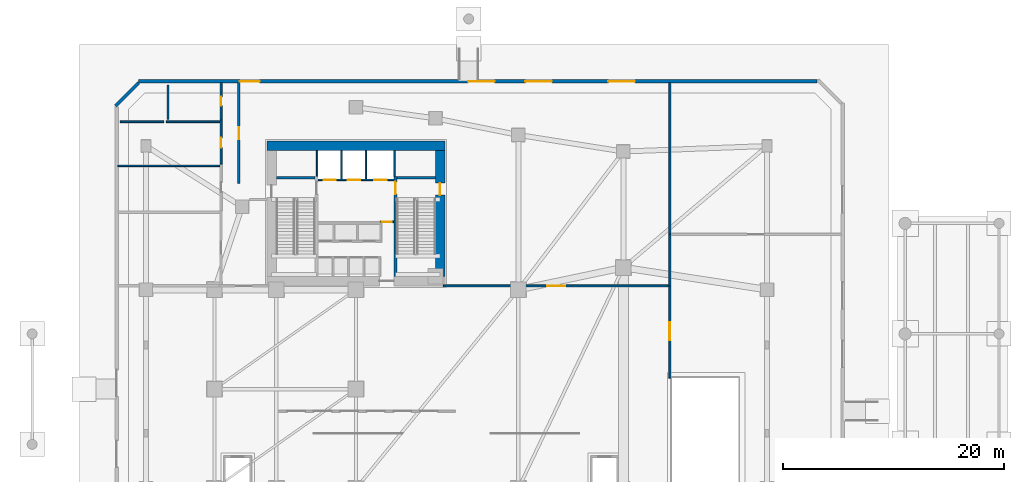
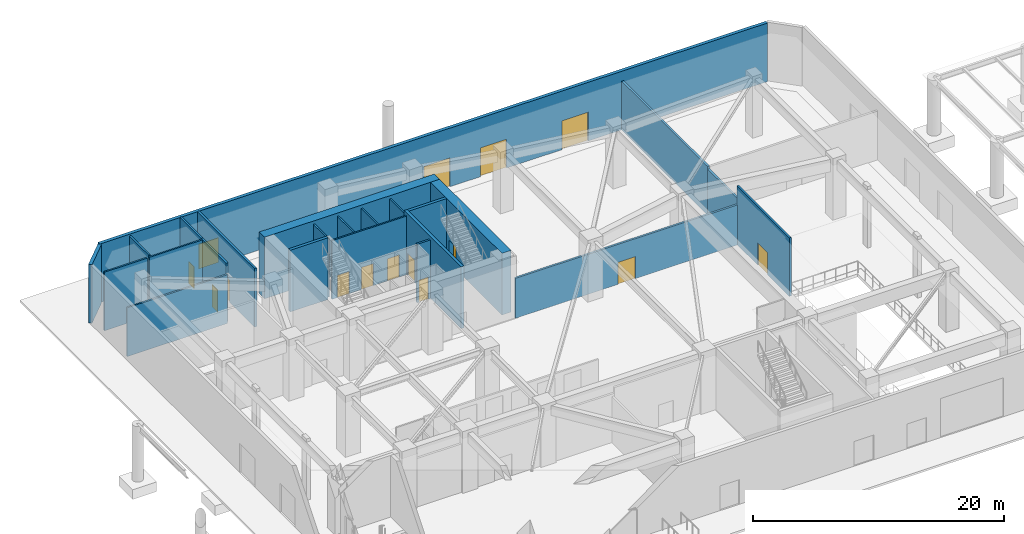
# One storey, part 5 of 13: 24 walls, 15 doors, 15 openings.
"""IFC4 building model written with IfcOpenShell, lengths in metres."""

from ifc_helpers import new_model, si_unit, direction, frame, frame_2d, origin, place, context, subcontext, project, spatial, rectangle, extrude, source, transform, mapped, material, layer, layer_set, type_object, element, fill, save


model = new_model("IFC4")

# Units and contexts
model_context = context("Model", 3, precision=1e-05, world=origin(), true_north=direction((0.0, 1.0)))
body_context = subcontext(model_context, "Body", "Model", "MODEL_VIEW")
ifc_project = project(units=[si_unit("LENGTHUNIT", "METRE"), si_unit("AREAUNIT", "SQUARE_METRE"), si_unit("VOLUMEUNIT", "CUBIC_METRE"), si_unit("PLANEANGLEUNIT", "RADIAN"), si_unit("MASSUNIT", "GRAM", prefix="KILO")], contexts=[model_context])

# Site, building, storey
site_placement = place(None, origin())
site = spatial("IfcSite", under=ifc_project, at=site_placement, CompositionType="ELEMENT")
building_placement = place(site_placement, origin())
building = spatial("IfcBuilding", under=site, at=building_placement, Name="Calvemar Wedge Station Tower", CompositionType="ELEMENT")
storey_placement = place(building_placement, origin())
storey = spatial("IfcBuildingStorey", under=building, at=storey_placement, Name="L01", CompositionType="ELEMENT", Elevation=0.0)

# Wall, opening, door
ifc_material_1 = material(Name="Concrete C50", Category="concrete")
ifc_layer_1 = layer(ifc_material_1, 0.260009765625)
ifc_layer_set_1 = layer_set([ifc_layer_1], Name="Concrete C50")
wall_type_1 = type_object("IfcWallType", Name="SW-CORE-260", PredefinedType="SHEAR", material=ifc_layer_set_1)
wall_1_placement = place(storey_placement, frame((27.3701171875, 34.199951171875, 0.0), z_axis=(0.0, 0.0, 1.0), x_axis=(0.0, 1.0, 0.0)))
wall_1 = element("IfcWall", 1, at=wall_1_placement, inside=storey, type_object=wall_type_1, Name="Storey L01 Core Shear Wall SPINE-E", PredefinedType="SHEAR", context=body_context, shape_type="SweptSolid", body=[
    extrude(rectangle(XDim=9.06005859375, YDim=0.260009765625, at=frame_2d((4.530029296875, 0.0))), origin(), (0.0, 0.0, 1.0), 6.0),
])
shared_shape_1 = source(origin(), body_context, "Body", "SweptSolid", [
    extrude(rectangle(XDim=1.10009765625, YDim=2.14990234375, at=frame_2d((0.550048828125, 1.074951171875))), frame((0.0, 0.14013671875, 0.0), z_axis=(0.0, -1.0, 0.0), x_axis=(1.0, 0.0, 0.0)), (0.0, 0.0, 1.0), 0.280029296875),
])
opening_1_placement = place(wall_1_placement, frame((7.449951171875, 0.0, 0.0)))
opening_1 = element("IfcOpeningElement", 2, at=opening_1_placement, cuts=wall_1, Name="Opening FD-90", PredefinedType="OPENING", context=body_context, shape_type="MappedRepresentation", body=[
    mapped(shared_shape_1, transform((0.0, 0.0, 0.0), scale=1.0)),
])
ifc_material_2 = material(Name="Galvanized fire-rated steel door leaf P-90", Category="steel")
door_type_1 = type_object("IfcDoorType", Name="DR-FD90-1100", OperationType="NOTDEFINED", PredefinedType="DOOR", material=ifc_material_2)
shared_shape_2 = source(origin(), body_context, "Body", "SweptSolid", [
    extrude(rectangle(XDim=1.10009765625, YDim=2.14990234375, at=frame_2d((0.550048828125, 1.074951171875))), frame((0.0, 0.02490234375, 0.0), z_axis=(0.0, -1.0, 0.0), x_axis=(1.0, 0.0, 0.0)), (0.0, 0.0, 1.0), 0.050048828125),
])
door_1_placement = place(opening_1_placement, origin())
door_1 = element("IfcDoor", 3, at=door_1_placement, inside=storey, type_object=door_type_1, Name="L01 FF Lobby to Stair ST-C2 Door", OperationType="SINGLE_SWING_LEFT", OverallHeight=2.14990234375, OverallWidth=1.10009765625, PredefinedType="DOOR", context=body_context, shape_type="MappedRepresentation", body=[
    mapped(shared_shape_2, transform((0.0, 0.0, 0.0), scale=1.0)),
])
fill(opening_1, door_1)

# Walls
for number, where, z_axis, x_axis, name in (
    (4, (16.60009765625, 43.1298828125, 0.0), (0.0, 0.0, 1.0), (1.0, 0.0, 0.0), "Storey L01 Core Shear Wall STC1-N"),
    (5, (27.5, 43.1298828125, 0.0), (0.0, 0.0, 1.0), (1.0, 0.0, 0.0), "Storey L01 Core Shear Wall STC2-N"),
):
    element("IfcWall", number, at=place(storey_placement, frame(where, z_axis=z_axis, x_axis=x_axis)), inside=storey, type_object=wall_type_1, Name=name, PredefinedType="SHEAR", context=body_context, shape_type="SweptSolid", body=[
        extrude(rectangle(XDim=3.5, YDim=0.260009765625, at=frame_2d((1.75, 0.0))), origin(), (0.0, 0.0, 1.0), 6.0),
    ])
ifc_material_3 = material(Name="Concrete C80", Category="concrete")
ifc_layer_2 = layer(ifc_material_3, 0.85009765625)
ifc_layer_set_2 = layer_set([ifc_layer_2], Name="Concrete C80")
wall_type_2 = type_object("IfcWallType", Name="SW-CORE-850", PredefinedType="SHEAR", material=ifc_layer_set_2)
wall_2_placement = place(storey_placement, frame((15.75, 46.02490234375, 0.0), z_axis=(0.0, 0.0, 1.0), x_axis=(1.0, 0.0, 0.0)))
element("IfcWall", 6, at=wall_2_placement, inside=storey, type_object=wall_type_2, Name="Storey L01 Core Shear Wall N", PredefinedType="SHEAR", context=body_context, shape_type="SweptSolid", body=[
    extrude(rectangle(XDim=16.10009765625, YDim=0.85009765625, at=frame_2d((8.050048828125, 0.0))), origin(), (0.0, 0.0, 1.0), 6.0),
])

# Wall, opening, door
wall_3_placement = place(storey_placement, frame((31.425048828125, 34.199951171875, 0.0), z_axis=(0.0, 0.0, 1.0), x_axis=(0.0, 1.0, 0.0)))
wall_3 = element("IfcWall", 7, at=wall_3_placement, inside=storey, type_object=wall_type_2, Name="Storey L01 Core Shear Wall E", PredefinedType="SHEAR", context=body_context, shape_type="SweptSolid", body=[
    extrude(rectangle(XDim=11.400146484375, YDim=0.85009765625, at=frame_2d((5.7001953125, 0.0))), origin(), (0.0, 0.0, 1.0), 6.0),
])
shared_shape_3 = source(origin(), body_context, "Body", "SweptSolid", [
    extrude(rectangle(XDim=1.10009765625, YDim=2.14990234375, at=frame_2d((0.550048828125, 1.074951171875))), frame((0.0, 0.43505859375, 0.0), z_axis=(0.0, -1.0, 0.0), x_axis=(1.0, 0.0, 0.0)), (0.0, 0.0, 1.0), 0.8701171875),
])
opening_2_placement = place(wall_3_placement, frame((7.35009765625, 0.0, 0.0)))
opening_2 = element("IfcOpeningElement", 8, at=opening_2_placement, cuts=wall_3, Name="Opening FD-90", PredefinedType="OPENING", context=body_context, shape_type="MappedRepresentation", body=[
    mapped(shared_shape_3, transform((0.0, 0.0, 0.0), scale=1.0)),
])
door_2_placement = place(opening_2_placement, origin())
door_2 = element("IfcDoor", 9, at=door_2_placement, inside=storey, type_object=door_type_1, Name="L01 East Corridor to Exit Stair ST-C2 Door", OperationType="SINGLE_SWING_LEFT", OverallHeight=2.14990234375, OverallWidth=1.10009765625, PredefinedType="DOOR", context=body_context, shape_type="MappedRepresentation", body=[
    mapped(shared_shape_2, transform((0.0, 0.0, 0.0), scale=1.0)),
])
fill(opening_2, door_2)

ifc_material_4 = material(Name="Double-stud fire-rated corridor partition")
ifc_layer_3 = layer(ifc_material_4, 0.179931640625)
ifc_layer_set_3 = layer_set([ifc_layer_3], Name="Double-stud fire-rated corridor partition")
wall_type_3 = type_object("IfcWallType", Name="W-CORR-180", PredefinedType="PARTITIONING", material=ifc_layer_set_3)
wall_4_placement = place(storey_placement, frame((27.199951171875, 39.1298828125, 0.0), z_axis=(0.0, 0.0, 1.0), x_axis=(-1.0, 0.0, 0.0)))
wall_4 = element("IfcWall", 10, at=wall_4_placement, inside=storey, type_object=wall_type_3, Name="Storey L01 Interior Partition WL-L01-001", PredefinedType="PARTITIONING", context=body_context, shape_type="SweptSolid", body=[
    extrude(rectangle(XDim=1.2099609375, YDim=0.179931640625, at=frame_2d((0.60498046875, 0.0))), origin(), (0.0, 0.0, 1.0), 5.699951171875),
])
shared_shape_4 = source(origin(), body_context, "Body", "SweptSolid", [
    extrude(rectangle(XDim=0.89990234375, YDim=2.14990234375, at=frame_2d((0.449951171875, 1.074951171875))), frame((0.0, 0.10009765625, 0.0), z_axis=(0.0, -1.0, 0.0), x_axis=(1.0, 0.0, 0.0)), (0.0, 0.0, 1.0), 0.199951171875),
])
opening_3_placement = place(wall_4_placement, frame((0.155029296875, 0.0, 0.0)))
opening_3 = element("IfcOpeningElement", 11, at=opening_3_placement, cuts=wall_4, Name="Opening FD-60", PredefinedType="OPENING", context=body_context, shape_type="MappedRepresentation", body=[
    mapped(shared_shape_4, transform((0.0, 0.0, 0.0), scale=1.0)),
])
ifc_material_5 = material(Name="Fire-rated acoustic timber-core entrance door EI 60", Category="wood")
door_type_2 = type_object("IfcDoorType", Name="DR-FD60-900", OperationType="NOTDEFINED", PredefinedType="DOOR", material=ifc_material_5)
shared_shape_5 = source(origin(), body_context, "Body", "SweptSolid", [
    extrude(rectangle(XDim=0.89990234375, YDim=2.14990234375, at=frame_2d((0.449951171875, 1.074951171875))), frame((0.0, 0.02490234375, 0.0), z_axis=(0.0, -1.0, 0.0), x_axis=(1.0, 0.0, 0.0)), (0.0, 0.0, 1.0), 0.050048828125),
])
door_3_placement = place(opening_3_placement, origin())
door_3 = element("IfcDoor", 12, at=door_3_placement, inside=storey, type_object=door_type_2, Name="L01 Core Service Lobby Door", OperationType="SINGLE_SWING_RIGHT", OverallHeight=2.14990234375, OverallWidth=0.89990234375, PredefinedType="DOOR", context=body_context, shape_type="MappedRepresentation", body=[
    mapped(shared_shape_5, transform((0.0, 0.0, 0.0), scale=1.0)),
])
fill(opening_3, door_3)

wall_5_placement = place(storey_placement, frame((52.199951171875, 33.35009765625, 0.0), z_axis=(0.0, 0.0, 1.0), x_axis=(0.0, -1.0, 0.0)))
wall_5 = element("IfcWall", 13, at=wall_5_placement, inside=storey, type_object=wall_type_3, Name="Storey L01 Interior Partition WL-L01-006", PredefinedType="PARTITIONING", context=body_context, shape_type="SweptSolid", body=[
    extrude(rectangle(XDim=8.360107421875, YDim=0.179931640625, at=frame_2d((4.18017578125, 0.0))), origin(), (0.0, 0.0, 1.0), 5.699951171875),
])
shared_shape_6 = source(origin(), body_context, "Body", "SweptSolid", [
    extrude(rectangle(XDim=1.60009765625, YDim=2.14990234375, at=frame_2d((0.800048828125, 1.074951171875))), frame((0.0, 0.10009765625, 0.0), z_axis=(0.0, -1.0, 0.0), x_axis=(1.0, 0.0, 0.0)), (0.0, 0.0, 1.0), 0.199951171875),
])
opening_4_placement = place(wall_5_placement, frame((3.319091796875, 0.0, 0.0)))
opening_4 = element("IfcOpeningElement", 14, at=opening_4_placement, cuts=wall_5, Name="Opening DD-160", PredefinedType="OPENING", context=body_context, shape_type="MappedRepresentation", body=[
    mapped(shared_shape_6, transform((0.0, 0.0, 0.0), scale=1.0)),
])
ifc_material_6 = material(Name="Double-leaf fire-rated lobby door EI 60")
door_type_3 = type_object("IfcDoorType", Name="DR-DBL-1600", OperationType="DOUBLE_DOOR_SINGLE_SWING", PredefinedType="DOOR", material=ifc_material_6)
shared_shape_7 = source(origin(), body_context, "Body", "SweptSolid", [
    extrude(rectangle(XDim=1.60009765625, YDim=2.14990234375, at=frame_2d((0.800048828125, 1.074951171875))), frame((0.0, 0.02490234375, 0.0), z_axis=(0.0, -1.0, 0.0), x_axis=(1.0, 0.0, 0.0)), (0.0, 0.0, 1.0), 0.050048828125),
])
door_4_placement = place(opening_4_placement, origin())
door_4 = element("IfcDoor", 15, at=door_4_placement, inside=storey, type_object=door_type_3, Name="L01 Ticket Hall Door", OperationType="SINGLE_SWING_LEFT", OverallHeight=2.14990234375, OverallWidth=1.60009765625, PredefinedType="DOOR", context=body_context, shape_type="MappedRepresentation", body=[
    mapped(shared_shape_7, transform((0.0, 0.0, 0.0), scale=1.0)),
])
fill(opening_4, door_4)

wall_6_placement = place(storey_placement, frame((31.7099609375, 33.35009765625, 0.0), z_axis=(0.0, 0.0, 1.0), x_axis=(1.0, 0.0, 0.0)))
wall_6 = element("IfcWall", 16, at=wall_6_placement, inside=storey, type_object=wall_type_3, Name="Storey L01 Interior Partition WL-L01-007", PredefinedType="PARTITIONING", context=body_context, shape_type="SweptSolid", body=[
    extrude(rectangle(XDim=20.423583984375, YDim=0.179931640625, at=frame_2d((10.2119140625, 0.0))), origin(), (0.0, 0.0, 1.0), 3.89208984375),
])
opening_5_placement = place(wall_6_placement, frame((9.41162109375, 0.0, 0.0)))
opening_5 = element("IfcOpeningElement", 17, at=opening_5_placement, cuts=wall_6, Name="Opening DD-160", PredefinedType="OPENING", context=body_context, shape_type="MappedRepresentation", body=[
    mapped(shared_shape_6, transform((0.0, 0.0, 0.0), scale=1.0)),
])
door_5_placement = place(opening_5_placement, origin())
door_5 = element("IfcDoor", 18, at=door_5_placement, inside=storey, type_object=door_type_3, Name="L01 Tower Office Entrance Lobby Door", OperationType="SINGLE_SWING_RIGHT", OverallHeight=2.14990234375, OverallWidth=1.60009765625, PredefinedType="DOOR", context=body_context, shape_type="MappedRepresentation", body=[
    mapped(shared_shape_7, transform((0.0, 0.0, 0.0), scale=1.0)),
])
fill(opening_5, door_5)

# Walls
wall_7_placement = place(storey_placement, frame((52.199951171875, 33.35205078125, 0.0), z_axis=(0.0, 0.0, 1.0), x_axis=(0.0, 1.0, 0.0)))
element("IfcWall", 19, at=wall_7_placement, inside=storey, type_object=wall_type_3, Name="Storey L01 Interior Partition WL-L01-013", PredefinedType="PARTITIONING", context=body_context, shape_type="SweptSolid", body=[
    extrude(rectangle(XDim=4.64794921875, YDim=0.179931640625, at=frame_2d((2.323974609375, 0.0))), origin(), (0.0, 0.0, 1.0), 4.491943359375),
])
wall_8_placement = place(storey_placement, frame((52.199951171875, 51.735107421875, 0.0), z_axis=(0.0, 0.0, 1.0), x_axis=(0.0, -1.0, 0.0)))
element("IfcWall", 20, at=wall_8_placement, inside=storey, type_object=wall_type_3, Name="Storey L01 Interior Partition WL-L01-015", PredefinedType="PARTITIONING", context=body_context, shape_type="SweptSolid", body=[
    extrude(rectangle(XDim=13.733154296875, YDim=0.179931640625, at=frame_2d((6.86669921875, 0.0))), origin(), (0.0, 0.0, 1.0), 4.741943359375),
])

# Wall, opening, door
wall_9_placement = place(storey_placement, frame((11.60009765625, 44.362060546875, 0.0), z_axis=(0.0, 0.0, 1.0), x_axis=(0.0, 1.0, 0.0)))
wall_9 = element("IfcWall", 21, at=wall_9_placement, inside=storey, type_object=wall_type_3, Name="Storey L01 Interior Partition WL-L01-019", PredefinedType="PARTITIONING", context=body_context, shape_type="SweptSolid", body=[
    extrude(rectangle(XDim=3.998046875, YDim=0.179931640625, at=frame_2d((1.9990234375, 0.0))), origin(), (0.0, 0.0, 1.0), 5.699951171875),
])
opening_6_placement = place(wall_9_placement, frame((1.488525390625, 0.0, 0.0)))
opening_6 = element("IfcOpeningElement", 22, at=opening_6_placement, cuts=wall_9, Name="Opening D-01", PredefinedType="OPENING", context=body_context, shape_type="MappedRepresentation", body=[
    mapped(shared_shape_4, transform((0.0, 0.0, 0.0), scale=1.0)),
])
ifc_material_7 = material(Name="Architectural hardwood acoustic swing door", Category="wood")
door_type_4 = type_object("IfcDoorType", Name="DR-INT-900", OperationType="NOTDEFINED", PredefinedType="DOOR", material=ifc_material_7)
shared_shape_8 = source(origin(), body_context, "Body", "SweptSolid", [
    extrude(rectangle(XDim=0.89990234375, YDim=2.14990234375, at=frame_2d((0.449951171875, 1.074951171875))), frame((0.0, 0.02490234375, 0.0), z_axis=(0.0, -1.0, 0.0), x_axis=(1.0, 0.0, 0.0)), (0.0, 0.0, 1.0), 0.050048828125),
])
door_6_placement = place(opening_6_placement, origin())
door_6 = element("IfcDoor", 23, at=door_6_placement, inside=storey, type_object=door_type_4, Name="L01 Female Toilet Door", OperationType="SINGLE_SWING_LEFT", OverallHeight=2.14990234375, OverallWidth=0.89990234375, PredefinedType="DOOR", context=body_context, shape_type="MappedRepresentation", body=[
    mapped(shared_shape_8, transform((0.0, 0.0, 0.0), scale=1.0)),
])
fill(opening_6, door_6)

wall_10_placement = place(storey_placement, frame((11.60009765625, 48.362060546875, 0.0), z_axis=(0.0, 0.0, 1.0), x_axis=(0.0, 1.0, 0.0)))
wall_10 = element("IfcWall", 24, at=wall_10_placement, inside=storey, type_object=wall_type_3, Name="Storey L01 Interior Partition WL-L01-020", PredefinedType="PARTITIONING", context=body_context, shape_type="SweptSolid", body=[
    extrude(rectangle(XDim=3.373046875, YDim=0.179931640625, at=frame_2d((1.6865234375, 0.0))), origin(), (0.0, 0.0, 1.0), 5.699951171875),
])
shared_shape_9 = source(origin(), body_context, "Body", "SweptSolid", [
    extrude(rectangle(XDim=0.85009765625, YDim=2.14990234375, at=frame_2d((0.425048828125, 1.074951171875))), frame((0.0, 0.10009765625, 0.0), z_axis=(0.0, -1.0, 0.0), x_axis=(1.0, 0.0, 0.0)), (0.0, 0.0, 1.0), 0.199951171875),
])
opening_7_placement = place(wall_10_placement, frame((1.261474609375, 0.0, 0.0)))
opening_7 = element("IfcOpeningElement", 25, at=opening_7_placement, cuts=wall_10, Name="Opening D-02", PredefinedType="OPENING", context=body_context, shape_type="MappedRepresentation", body=[
    mapped(shared_shape_9, transform((0.0, 0.0, 0.0), scale=1.0)),
])
ifc_material_8 = material(Name="Moisture-sealed bathroom hardwood swing door", Category="wood")
door_type_5 = type_object("IfcDoorType", Name="DR-WET-850", OperationType="NOTDEFINED", PredefinedType="DOOR", material=ifc_material_8)
shared_shape_10 = source(origin(), body_context, "Body", "SweptSolid", [
    extrude(rectangle(XDim=0.85009765625, YDim=2.14990234375, at=frame_2d((0.425048828125, 1.074951171875))), frame((0.0, 0.02490234375, 0.0), z_axis=(0.0, -1.0, 0.0), x_axis=(1.0, 0.0, 0.0)), (0.0, 0.0, 1.0), 0.050048828125),
])
door_7_placement = place(opening_7_placement, origin())
door_7 = element("IfcDoor", 26, at=door_7_placement, inside=storey, type_object=door_type_5, Name="L01 Accessible WC Door", OperationType="SINGLE_SWING_RIGHT", OverallHeight=2.14990234375, OverallWidth=0.85009765625, PredefinedType="DOOR", context=body_context, shape_type="MappedRepresentation", body=[
    mapped(shared_shape_10, transform((0.0, 0.0, 0.0), scale=1.0)),
])
fill(opening_7, door_7)

# Wall, openings, doors
ifc_material_9 = material(Name="Precast concrete C45", Category="concrete")
ifc_layer_4 = layer(ifc_material_9, 0.300048828125)
ifc_layer_set_4 = layer_set([ifc_layer_4], Name="Precast concrete C45")
wall_type_4 = type_object("IfcWallType", Name="W-EXT-GFRC-300", PredefinedType="SOLIDWALL", material=ifc_layer_set_4)
wall_11_placement = place(storey_placement, frame((4.112060546875, 51.85009765625, 0.0), z_axis=(0.0, 0.0, 1.0), x_axis=(1.0, 0.0, 0.0)))
wall_11 = element("IfcWall", 27, at=wall_11_placement, inside=storey, type_object=wall_type_4, Name="Storey L01 Bronze GFRC Exterior Wall 4", PredefinedType="SOLIDWALL", context=body_context, shape_type="SweptSolid", body=[
    extrude(rectangle(XDim=61.4306640625, YDim=0.300048828125, at=frame_2d((30.71533203125, 0.0))), origin(), (0.0, 0.0, 1.0), 5.699951171875),
])
shared_shape_11 = source(origin(), body_context, "Body", "SweptSolid", [
    extrude(rectangle(XDim=2.39990234375, YDim=2.800048828125, at=frame_2d((1.199951171875, 1.39990234375))), frame((0.0, 0.16015625, 0.0), z_axis=(0.0, -1.0, 0.0), x_axis=(1.0, 0.0, 0.0)), (0.0, 0.0, 1.0), 0.320068359375),
])
opening_8_placement = place(wall_11_placement, frame((42.530517578125, 0.0, 0.0)))
opening_8 = element("IfcOpeningElement", 28, at=opening_8_placement, cuts=wall_11, Name="Opening DE1", PredefinedType="OPENING", context=body_context, shape_type="MappedRepresentation", body=[
    mapped(shared_shape_11, transform((0.0, 0.0, 0.0), scale=1.0)),
])
opening_9_placement = place(wall_11_placement, frame((35.030517578125, 0.0, 0.0)))
opening_9 = element("IfcOpeningElement", 29, at=opening_9_placement, cuts=wall_11, Name="Opening DE1", PredefinedType="OPENING", context=body_context, shape_type="MappedRepresentation", body=[
    mapped(shared_shape_11, transform((0.0, 0.0, 0.0), scale=1.0)),
])
opening_10_placement = place(wall_11_placement, frame((29.83056640625, 0.0, 0.0)))
opening_10 = element("IfcOpeningElement", 30, at=opening_10_placement, cuts=wall_11, Name="Opening DE1", PredefinedType="OPENING", context=body_context, shape_type="MappedRepresentation", body=[
    mapped(shared_shape_11, transform((0.0, 0.0, 0.0), scale=1.0)),
])
shared_shape_12 = source(origin(), body_context, "Body", "SweptSolid", [
    extrude(rectangle(XDim=1.800048828125, YDim=2.39990234375, at=frame_2d((0.89990234375, 1.199951171875))), frame((0.0, 0.16015625, 0.0), z_axis=(0.0, -1.0, 0.0), x_axis=(1.0, 0.0, 0.0)), (0.0, 0.0, 1.0), 0.320068359375),
])
opening_11_placement = place(wall_11_placement, frame((9.1806640625, 0.0, 0.0)))
opening_11 = element("IfcOpeningElement", 31, at=opening_11_placement, cuts=wall_11, Name="Opening DE2", PredefinedType="OPENING", context=body_context, shape_type="MappedRepresentation", body=[
    mapped(shared_shape_12, transform((0.0, 0.0, 0.0), scale=1.0)),
])
ifc_material_10 = material(Name="Anodised aluminium 6063-T6", Category="aluminium")
door_type_6 = type_object("IfcDoorType", Name="DR-ENT-2400", OperationType="DOUBLE_DOOR_SINGLE_SWING", PredefinedType="DOOR", material=ifc_material_10)
shared_shape_13 = source(origin(), body_context, "Body", "SweptSolid", [
    extrude(rectangle(XDim=2.39990234375, YDim=2.800048828125, at=frame_2d((1.199951171875, 1.39990234375))), frame((0.0, 0.02490234375, 0.0), z_axis=(0.0, -1.0, 0.0), x_axis=(1.0, 0.0, 0.0)), (0.0, 0.0, 1.0), 0.050048828125),
])
door_8_placement = place(opening_8_placement, origin())
door_8 = element("IfcDoor", 32, at=door_8_placement, inside=storey, type_object=door_type_6, Name="North Boulevard Office Lobby Exit Door 1", OperationType="DOUBLE_DOOR_SINGLE_SWING", OverallHeight=2.800048828125, OverallWidth=2.39990234375, PredefinedType="DOOR", context=body_context, shape_type="MappedRepresentation", body=[
    mapped(shared_shape_13, transform((0.0, 0.0, 0.0), scale=1.0)),
])
fill(opening_8, door_8)
door_9_placement = place(opening_9_placement, origin())
door_9 = element("IfcDoor", 33, at=door_9_placement, inside=storey, type_object=door_type_6, Name="North Boulevard Office Main Entrance Door", OperationType="DOUBLE_DOOR_SINGLE_SWING", OverallHeight=2.800048828125, OverallWidth=2.39990234375, PredefinedType="DOOR", context=body_context, shape_type="MappedRepresentation", body=[
    mapped(shared_shape_13, transform((0.0, 0.0, 0.0), scale=1.0)),
])
fill(opening_9, door_9)
door_10_placement = place(opening_10_placement, origin())
door_10 = element("IfcDoor", 34, at=door_10_placement, inside=storey, type_object=door_type_6, Name="North Boulevard Office Lobby Exit Door 2", OperationType="DOUBLE_DOOR_SINGLE_SWING", OverallHeight=2.800048828125, OverallWidth=2.39990234375, PredefinedType="DOOR", context=body_context, shape_type="MappedRepresentation", body=[
    mapped(shared_shape_13, transform((0.0, 0.0, 0.0), scale=1.0)),
])
fill(opening_10, door_10)
door_type_7 = type_object("IfcDoorType", Name="DR-ENT-1800", OperationType="DOUBLE_DOOR_SINGLE_SWING", PredefinedType="DOOR", material=ifc_material_10)
shared_shape_14 = source(origin(), body_context, "Body", "SweptSolid", [
    extrude(rectangle(XDim=1.800048828125, YDim=2.39990234375, at=frame_2d((0.89990234375, 1.199951171875))), frame((0.0, 0.02490234375, 0.0), z_axis=(0.0, -1.0, 0.0), x_axis=(1.0, 0.0, 0.0)), (0.0, 0.0, 1.0), 0.050048828125),
])
door_11_placement = place(opening_11_placement, origin())
door_11 = element("IfcDoor", 35, at=door_11_placement, inside=storey, type_object=door_type_7, Name="Stair ST-C1 Protected Exit Discharge Door", OperationType="DOUBLE_DOOR_SINGLE_SWING", OverallHeight=2.39990234375, OverallWidth=1.800048828125, PredefinedType="DOOR", context=body_context, shape_type="MappedRepresentation", body=[
    mapped(shared_shape_14, transform((0.0, 0.0, 0.0), scale=1.0)),
])
fill(opening_11, door_11)

# Wall
wall_12_placement = place(storey_placement, frame((2.0439453125, 49.6318359375, 0.0), z_axis=(0.0, 0.0, 1.0), x_axis=(0.707106781187, 0.707106781187, 0.0)))
element("IfcWall", 36, at=wall_12_placement, inside=storey, type_object=wall_type_4, Name="Storey L01 Bronze GFRC Exterior Wall 5", PredefinedType="SOLIDWALL", context=body_context, shape_type="SweptSolid", body=[
    extrude(rectangle(XDim=2.941650390625, YDim=0.300048828125, at=frame_2d((1.470703125, 0.0))), origin(), (0.0, 0.0, 1.0), 5.699951171875),
])

# Wall, openings, doors
ifc_material_11 = material(Name="Reinforced concrete blockwork lift shaft wall", Category="masonry")
ifc_layer_5 = layer(ifc_material_11, 0.139892578125)
ifc_layer_set_5 = layer_set([ifc_layer_5], Name="Reinforced concrete blockwork lift shaft wall")
wall_type_5 = type_object("IfcWallType", Name="W-LIFT-160", PredefinedType="SOLIDWALL", material=ifc_layer_set_5)
wall_13_placement = place(storey_placement, frame((20.3701171875, 42.929931640625, 0.0), z_axis=(0.0, 0.0, 1.0), x_axis=(1.0, 0.0, 0.0)))
wall_13 = element("IfcWall", 37, at=wall_13_placement, inside=storey, type_object=wall_type_5, Name="Storey L01 Firefighting and Service Lift Shaft Front Wall", PredefinedType="SOLIDWALL", context=body_context, shape_type="SweptSolid", body=[
    extrude(rectangle(XDim=6.85986328125, YDim=0.139892578125, at=frame_2d((3.429931640625, 0.0))), origin(), (0.0, 0.0, 1.0), 5.699951171875),
])
shared_shape_15 = source(origin(), body_context, "Body", "SweptSolid", [
    extrude(rectangle(XDim=1.10009765625, YDim=2.14990234375, at=frame_2d((0.550048828125, 1.074951171875))), frame((0.0, 0.080078125, 0.0), z_axis=(0.0, -1.0, 0.0), x_axis=(1.0, 0.0, 0.0)), (0.0, 0.0, 1.0), 0.159912109375),
])
opening_12_placement = place(wall_13_placement, frame((0.5, 0.0, 0.0)))
opening_12 = element("IfcOpeningElement", 38, at=opening_12_placement, cuts=wall_13, Name="Opening LD-FF", PredefinedType="OPENING", context=body_context, shape_type="MappedRepresentation", body=[
    mapped(shared_shape_15, transform((0.0, 0.0, 0.0), scale=1.0)),
])
opening_13_placement = place(wall_13_placement, frame((2.699951171875, 0.0, 0.0)))
opening_13 = element("IfcOpeningElement", 39, at=opening_13_placement, cuts=wall_13, Name="Opening LD-FF", PredefinedType="OPENING", context=body_context, shape_type="MappedRepresentation", body=[
    mapped(shared_shape_15, transform((0.0, 0.0, 0.0), scale=1.0)),
])
opening_14_placement = place(wall_13_placement, frame((5.10009765625, 0.0, 0.0)))
opening_14 = element("IfcOpeningElement", 40, at=opening_14_placement, cuts=wall_13, Name="Opening LD-STN", PredefinedType="OPENING", context=body_context, shape_type="MappedRepresentation", body=[
    mapped(shared_shape_15, transform((0.0, 0.0, 0.0), scale=1.0)),
])
ifc_material_12 = material(Name="Stainless steel firefighting lift sliding landing door", Category="steel")
door_type_8 = type_object("IfcDoorType", Name="DR-LD-FF-1100", OperationType="SLIDING_TO_LEFT", PredefinedType="DOOR", material=ifc_material_12)
shared_shape_16 = source(origin(), body_context, "Body", "SweptSolid", [
    extrude(rectangle(XDim=1.10009765625, YDim=2.14990234375, at=frame_2d((0.550048828125, 1.074951171875))), frame((0.0, 0.02490234375, 0.0), z_axis=(0.0, -1.0, 0.0), x_axis=(1.0, 0.0, 0.0)), (0.0, 0.0, 1.0), 0.050048828125),
])
door_12_placement = place(opening_12_placement, origin())
door_12 = element("IfcDoor", 41, at=door_12_placement, inside=storey, type_object=door_type_8, Name="L01 Lift FF-01 Sliding Landing Door", OperationType="SLIDING_TO_LEFT", OverallHeight=2.14990234375, OverallWidth=1.10009765625, PredefinedType="DOOR", context=body_context, shape_type="MappedRepresentation", body=[
    mapped(shared_shape_16, transform((0.0, 0.0, 0.0), scale=1.0)),
])
fill(opening_12, door_12)
door_13_placement = place(opening_13_placement, origin())
door_13 = element("IfcDoor", 42, at=door_13_placement, inside=storey, type_object=door_type_8, Name="L01 Lift FF-02 Sliding Landing Door", OperationType="SLIDING_TO_RIGHT", OverallHeight=2.14990234375, OverallWidth=1.10009765625, PredefinedType="DOOR", context=body_context, shape_type="MappedRepresentation", body=[
    mapped(shared_shape_16, transform((0.0, 0.0, 0.0), scale=1.0)),
])
fill(opening_13, door_13)
ifc_material_13 = material(Name="Stainless steel transit lift sliding landing door", Category="steel")
door_type_9 = type_object("IfcDoorType", Name="DR-LD-PAX-1100", OperationType="SLIDING_TO_LEFT", PredefinedType="DOOR", material=ifc_material_13)
shared_shape_17 = source(origin(), body_context, "Body", "SweptSolid", [
    extrude(rectangle(XDim=1.10009765625, YDim=2.14990234375, at=frame_2d((0.550048828125, 1.074951171875))), frame((0.0, 0.02490234375, 0.0), z_axis=(0.0, -1.0, 0.0), x_axis=(1.0, 0.0, 0.0)), (0.0, 0.0, 1.0), 0.050048828125),
])
door_14_placement = place(opening_14_placement, origin())
door_14 = element("IfcDoor", 43, at=door_14_placement, inside=storey, type_object=door_type_9, Name="L01 Lift SV-01 Sliding Landing Door", OperationType="SLIDING_TO_LEFT", OverallHeight=2.14990234375, OverallWidth=1.10009765625, PredefinedType="DOOR", context=body_context, shape_type="MappedRepresentation", body=[
    mapped(shared_shape_17, transform((0.0, 0.0, 0.0), scale=1.0)),
])
fill(opening_14, door_14)

# Walls
for number, where, z_axis, x_axis, name in (
    (44, (20.2900390625, 43.280029296875, 0.0), (0.0, 0.0, 1.0), (0.0, 1.0, 0.0), "Storey L01 Firefighting Lift Shaft Enclosure Wall W"),
    (45, (27.31005859375, 43.280029296875, 0.0), (0.0, 0.0, 1.0), (0.0, 1.0, 0.0), "Storey L01 Firefighting Lift Shaft Enclosure Wall E"),
):
    element("IfcWall", number, at=place(storey_placement, frame(where, z_axis=z_axis, x_axis=x_axis)), inside=storey, type_object=wall_type_5, Name=name, PredefinedType="SOLIDWALL", context=body_context, shape_type="SweptSolid", body=[
        extrude(rectangle(XDim=2.300048828125, YDim=0.139892578125, at=frame_2d((1.14990234375, 0.0))), origin(), (0.0, 0.0, 1.0), 5.699951171875),
    ])
for number, where, z_axis, x_axis, name in (
    (46, (22.5, 43.02001953125, 0.0), (0.0, 0.0, 1.0), (0.0, 1.0, 0.0), "Storey L01 Firefighting Lift Shaft Enclosure Wall D1"),
    (47, (24.699951171875, 43.02001953125, 0.0), (0.0, 0.0, 1.0), (0.0, 1.0, 0.0), "Storey L01 Firefighting Lift Shaft Enclosure Wall D2"),
):
    element("IfcWall", number, at=place(storey_placement, frame(where, z_axis=z_axis, x_axis=x_axis)), inside=storey, type_object=wall_type_5, Name=name, PredefinedType="SOLIDWALL", context=body_context, shape_type="SweptSolid", body=[
        extrude(rectangle(XDim=2.56005859375, YDim=0.139892578125, at=frame_2d((1.280029296875, 0.0))), origin(), (0.0, 0.0, 1.0), 5.699951171875),
    ])

# Wall, opening, door
ifc_material_14 = material(Name="Concrete blockwork and fireboard shaft wall", Category="masonry")
ifc_layer_6 = layer(ifc_material_14, 0.199951171875)
ifc_layer_set_6 = layer_set([ifc_layer_6], Name="Concrete blockwork and fireboard shaft wall")
wall_type_6 = type_object("IfcWallType", Name="W-SHAFT-200", PredefinedType="SOLIDWALL", material=ifc_layer_set_6)
wall_14_placement = place(storey_placement, frame((13.199951171875, 42.60009765625, 0.0), z_axis=(0.0, 0.0, 1.0), x_axis=(0.0, 1.0, 0.0)))
wall_14 = element("IfcWall", 48, at=wall_14_placement, inside=storey, type_object=wall_type_6, Name="Storey L01 Interior Partition WL-L01-004", PredefinedType="SOLIDWALL", context=body_context, shape_type="SweptSolid", body=[
    extrude(rectangle(XDim=9.135009765625, YDim=0.199951171875, at=frame_2d((4.5673828125, 0.0))), origin(), (0.0, 0.0, 1.0), 5.699951171875),
])
shared_shape_18 = source(origin(), body_context, "Body", "SweptSolid", [
    extrude(rectangle(XDim=1.10009765625, YDim=2.14990234375, at=frame_2d((0.550048828125, 1.074951171875))), frame((0.0, 0.10986328125, 0.0), z_axis=(0.0, -1.0, 0.0), x_axis=(1.0, 0.0, 0.0)), (0.0, 0.0, 1.0), 0.219970703125),
])
opening_15_placement = place(wall_14_placement, frame((4.017578125, 0.0, 0.0)))
opening_15 = element("IfcOpeningElement", 49, at=opening_15_placement, cuts=wall_14, Name="Opening FD-90", PredefinedType="OPENING", context=body_context, shape_type="MappedRepresentation", body=[
    mapped(shared_shape_18, transform((0.0, 0.0, 0.0), scale=1.0)),
])
door_15_placement = place(opening_15_placement, origin())
door_15 = element("IfcDoor", 50, at=door_15_placement, inside=storey, type_object=door_type_1, Name="L01 North Core Protected Exit Discharge Passage Door", OperationType="SINGLE_SWING_LEFT", OverallHeight=2.14990234375, OverallWidth=1.10009765625, PredefinedType="DOOR", context=body_context, shape_type="MappedRepresentation", body=[
    mapped(shared_shape_2, transform((0.0, 0.0, 0.0), scale=1.0)),
])
fill(opening_15, door_15)

# Walls
ifc_material_15 = material(Name="Moisture-resistant acoustic bathroom partition")
ifc_layer_7 = layer(ifc_material_15, 0.14990234375)
ifc_layer_set_7 = layer_set([ifc_layer_7], Name="Moisture-resistant acoustic bathroom partition")
wall_type_7 = type_object("IfcWallType", Name="W-WET-150", PredefinedType="PARTITIONING", material=ifc_layer_set_7)
wall_15_placement = place(storey_placement, frame((2.264892578125, 44.199951171875, 0.0), z_axis=(0.0, 0.0, 1.0), x_axis=(1.0, 0.0, 0.0)))
element("IfcWall", 51, at=wall_15_placement, inside=storey, type_object=wall_type_7, Name="Storey L01 Interior Partition WL-L01-022", PredefinedType="PARTITIONING", context=body_context, shape_type="SweptSolid", body=[
    extrude(rectangle(XDim=9.2412109375, YDim=0.14990234375, at=frame_2d((4.62060546875, 0.0))), origin(), (0.0, 0.0, 1.0), 4.741943359375),
])
wall_16_placement = place(storey_placement, frame((6.639892578125, 48.199951171875, 0.0), z_axis=(0.0, 0.0, 1.0), x_axis=(1.0, 0.0, 0.0)))
element("IfcWall", 52, at=wall_16_placement, inside=storey, type_object=wall_type_7, Name="Storey L01 Interior Partition WL-L01-023", PredefinedType="PARTITIONING", context=body_context, shape_type="SweptSolid", body=[
    extrude(rectangle(XDim=4.8662109375, YDim=0.14990234375, at=frame_2d((2.43310546875, 0.0))), origin(), (0.0, 0.0, 1.0), 5.699951171875),
])
wall_17_placement = place(storey_placement, frame((2.485107421875, 48.199951171875, 0.0), z_axis=(0.0, 0.0, 1.0), x_axis=(1.0, 0.0, 0.0)))
element("IfcWall", 53, at=wall_17_placement, inside=storey, type_object=wall_type_7, Name="Storey L01 Bathroom Enclosure Wall WL-L01-024", PredefinedType="PARTITIONING", context=body_context, shape_type="SweptSolid", body=[
    extrude(rectangle(XDim=3.934814453125, YDim=0.14990234375, at=frame_2d((1.96728515625, 0.0))), origin(), (0.0, 0.0, 1.0), 5.699951171875),
])
wall_18_placement = place(storey_placement, frame((6.800048828125, 48.419921875, 0.0), z_axis=(0.0, 0.0, 1.0), x_axis=(0.0, 1.0, 0.0)))
element("IfcWall", 54, at=wall_18_placement, inside=storey, type_object=wall_type_7, Name="Storey L01 Bathroom Enclosure Wall WL-L01-025", PredefinedType="PARTITIONING", context=body_context, shape_type="SweptSolid", body=[
    extrude(rectangle(XDim=3.094970703125, YDim=0.14990234375, at=frame_2d((1.54736328125, 0.0))), origin(), (0.0, 0.0, 1.0), 5.699951171875),
])

save(model, "model.ifc")
